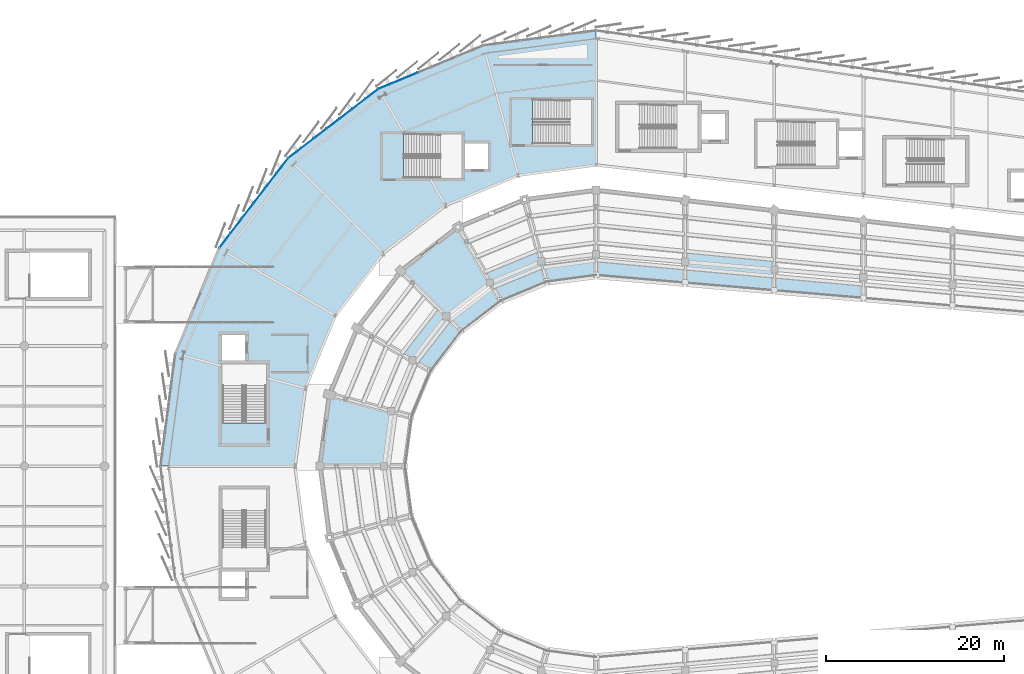
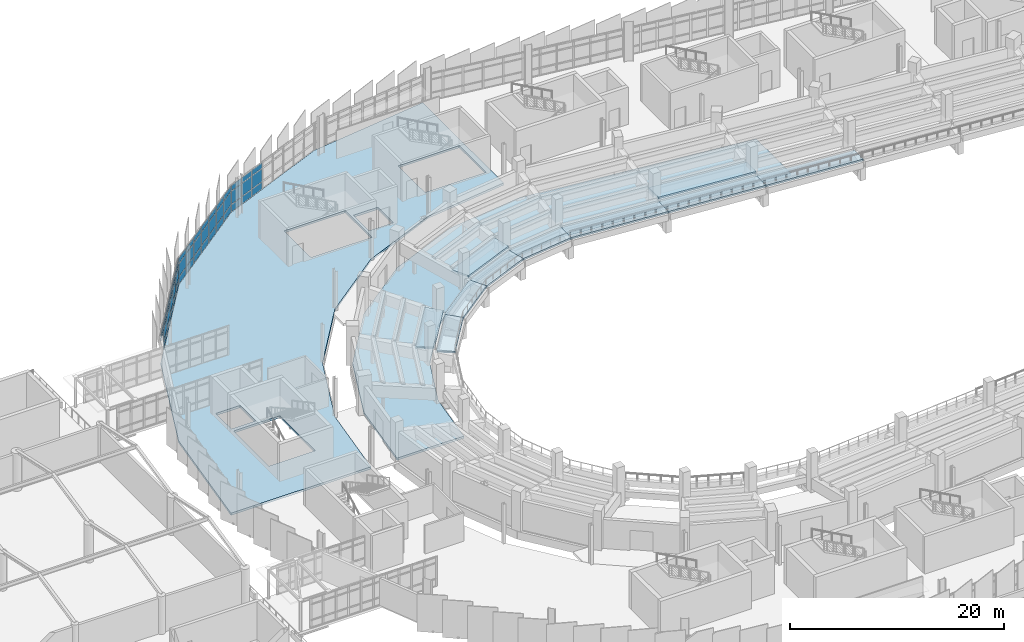
# One storey, part 84 of 120: 46 plates, 12 slabs, 3 elements without a shape of their own.
"""IFC4 building model written with IfcOpenShell, lengths in metres."""

import ifcopenshell
import ifcopenshell.guid

model = None  # the IFC model being written
_history = None  # IfcOwnerHistory: only IFC2X3 demands one
_inside = {}  # id of a spatial element -> (the spatial element, [elements in it])
_under = {}  # id of a project, library or spatial element -> (it, [spatial elements below it])
_declared = {}  # id of a project -> (the project, [libraries it declares])
_typed = {}  # id of a type object -> (the type object, [elements of that type])
_made_of = {}  # id of a material, layer set ... -> (it, [elements and type objects made of it])


def new_model(schema):
    """Start an empty IFC model of exactly this schema.

    Asked for "IFC4X3", IfcOpenShell would pick the latest addendum, in which some entities
    have other attributes; the version numbers below select the first issue.
    IFC2X3 requires an IfcOwnerHistory on every rooted entity: one is made here for all.
    """
    global model, _history
    if schema == "IFC4X3":
        model = ifcopenshell.file(schema_version=(4, 3, 0, 0))
    else:
        model = ifcopenshell.file(schema=schema)
    _inside.clear()
    _under.clear()
    _declared.clear()
    _typed.clear()
    _made_of.clear()
    _history = None
    if model.schema == "IFC2X3":
        org = make("IfcOrganization", Name="unknown")
        user = make(
            "IfcPersonAndOrganization",
            ThePerson=make("IfcPerson", FamilyName="unknown"),
            TheOrganization=org,
        )
        app = make(
            "IfcApplication",
            ApplicationDeveloper=org,
            Version="unknown",
            ApplicationFullName="unknown",
            ApplicationIdentifier="unknown",
        )
        _history = make(
            "IfcOwnerHistory",
            OwningUser=user,
            OwningApplication=app,
            ChangeAction="ADDED",
            CreationDate=0,
        )
    return model


def make(cls, **values):
    """One entity of the class cls with the attributes given. An attribute that is None is left unset."""
    return model.create_entity(
        cls, **{name: value for name, value in values.items() if value is not None}
    )


def rooted(cls, **values):
    """An entity with a GlobalId (a new one), such as an element, a storey or a relation."""
    return make(cls, GlobalId=ifcopenshell.guid.new(), OwnerHistory=_history, **values)


def si_unit(unit_type, name, prefix=None):
    """IfcSIUnit, for example si_unit("LENGTHUNIT", "METRE", prefix="MILLI")."""
    return make("IfcSIUnit", UnitType=unit_type, Prefix=prefix, Name=name)


def assignment(units):
    """IfcUnitAssignment: the units of a project."""
    return None if units is None else make("IfcUnitAssignment", Units=units)


def point(xyz):
    """IfcCartesianPoint."""
    return None if xyz is None else make("IfcCartesianPoint", Coordinates=xyz)


def direction(xyz):
    """IfcDirection."""
    return None if xyz is None else make("IfcDirection", DirectionRatios=xyz)


def frame(location, z_axis=None, x_axis=None):
    """IfcAxis2Placement3D, a coordinate frame: its origin and axes. An axis left out is left unset."""
    return make(
        "IfcAxis2Placement3D",
        Location=point(location),
        Axis=direction(z_axis),
        RefDirection=direction(x_axis),
    )


def frame_2d(location, x_axis=None):
    """IfcAxis2Placement2D, a coordinate frame in the plane: its origin and x axis."""
    return make(
        "IfcAxis2Placement2D", Location=point(location), RefDirection=direction(x_axis)
    )


def origin():
    """The frame at (0, 0, 0) with its axes left unset."""
    return frame((0.0, 0.0, 0.0))


def origin_2d():
    """The frame at (0, 0) in the plane with its x axis left unset."""
    return frame_2d((0.0, 0.0))


def place(relative_to, where):
    """IfcLocalPlacement: puts the frame where relative to a parent placement (None: the world)."""
    return make(
        "IfcLocalPlacement", PlacementRelTo=relative_to, RelativePlacement=where
    )


def context(
    kind, dimensions, precision=None, world=None, true_north=None, identifier=None
):
    """IfcGeometricRepresentationContext, for example the 3D "Model" context."""
    return make(
        "IfcGeometricRepresentationContext",
        ContextIdentifier=identifier,
        ContextType=kind,
        CoordinateSpaceDimension=dimensions,
        Precision=precision,
        WorldCoordinateSystem=world,
        TrueNorth=true_north,
    )


def subcontext(parent, identifier, kind, view, scale=None):
    """IfcGeometricRepresentationSubContext, for example "Body" below "Model"."""
    return make(
        "IfcGeometricRepresentationSubContext",
        ContextIdentifier=identifier,
        ContextType=kind,
        ParentContext=parent,
        TargetScale=scale,
        TargetView=view,
    )


def project(units=None, contexts=None):
    """IfcProject with its units and contexts."""
    return rooted(
        "IfcProject",
        Name="project",
        RepresentationContexts=contexts,
        UnitsInContext=assignment(units),
    )


def spatial(cls, under=None, at=None, **own):
    """A site, building, storey or space (cls), placed at a placement, below another one or the project."""
    s = rooted(cls, ObjectPlacement=at, **own)
    if under is not None:
        _under.setdefault(under.id(), (under, []))[1].append(s)
    return s


def polyline(points):
    """IfcPolyline through the points."""
    return make("IfcPolyline", Points=[point(p) for p in points])


def profile(cls, at=None, kind="AREA", **sizes):
    """A parametric profile (cls). Its sizes go by their IFC names, for example OverallWidth=200.0."""
    return make(cls, ProfileType=kind, Position=at, **sizes)


def rectangle(**sizes):
    """IfcRectangleProfileDef."""
    return profile("IfcRectangleProfileDef", **sizes)


def outline(outer, holes=None, kind="AREA"):
    """IfcArbitraryClosedProfileDef: a profile drawn as a closed curve; with holes, ...WithVoids."""
    if holes is None:
        return make("IfcArbitraryClosedProfileDef", ProfileType=kind, OuterCurve=outer)
    return make(
        "IfcArbitraryProfileDefWithVoids",
        ProfileType=kind,
        OuterCurve=outer,
        InnerCurves=holes,
    )


def extrude(swept, where, along, depth):
    """IfcExtrudedAreaSolid: the profile swept, set in the frame where, extruded along a direction by depth."""
    return make(
        "IfcExtrudedAreaSolid",
        SweptArea=swept,
        Position=where,
        ExtrudedDirection=direction(along),
        Depth=depth,
    )


def shape(context_of_items, identifier, shape_type, items):
    """IfcShapeRepresentation: the items that make up one representation, for example the "Body"."""
    return make(
        "IfcShapeRepresentation",
        ContextOfItems=context_of_items,
        RepresentationIdentifier=identifier,
        RepresentationType=shape_type,
        Items=items,
    )


def material(Name=None, Category=None):
    """IfcMaterial."""
    return make("IfcMaterial", Name=Name, Category=Category)


def layer(
    of_material, thickness, ventilated=None, Name=None, Category=None, Priority=None
):
    """IfcMaterialLayer: one layer of a wall or slab, of a material (None: an air gap)."""
    return make(
        "IfcMaterialLayer",
        Material=of_material,
        LayerThickness=thickness,
        IsVentilated=ventilated,
        Name=Name,
        Category=Category,
        Priority=Priority,
    )


def layer_set(layers, Name=None):
    """IfcMaterialLayerSet."""
    return make("IfcMaterialLayerSet", MaterialLayers=layers, LayerSetName=Name)


def made_of(thing, what):
    """Note that an element or type object is made of a material, layer set ...; save() writes the relation."""
    if what is not None:
        _made_of.setdefault(what.id(), (what, []))[1].append(thing)
    return thing


def type_object(cls, material=None, **own):
    """A type object (cls), such as IfcWallType, which elements share."""
    return made_of(rooted(cls, **own), material)


def element(
    cls,
    number,
    at=None,
    inside=None,
    cuts=None,
    type_object=None,
    material=None,
    context=None,
    identifier="Body",
    shape_type=None,
    held_by="IfcProductDefinitionShape",
    body=None,
    shapes=None,
    **own,
):
    """One element of the class cls, such as IfcWall. Its Tag is "e" and its number.

    at: its placement. inside: the storey or other place that contains it. cuts: it is an
    opening in that element (IfcRelVoidsElement). A single representation is given by context,
    identifier, shape_type and body (its items); several are given by shapes. held_by: the class
    of the entity that holds the representations. save() writes the other relations.
    """
    e = rooted(cls, Tag="e%d" % number, ObjectPlacement=at, **own)
    if body is not None:
        shapes = [shape(context, identifier, shape_type, body)]
    if shapes is not None:
        e.Representation = make(held_by, Representations=shapes)
    if inside is not None:
        _inside.setdefault(inside.id(), (inside, []))[1].append(e)
    if cuts is not None:
        rooted(
            "IfcRelVoidsElement", RelatingBuildingElement=cuts, RelatedOpeningElement=e
        )
    if type_object is not None:
        _typed.setdefault(type_object.id(), (type_object, []))[1].append(e)
    return made_of(e, material)


def aggregate(whole, parts):
    """IfcRelAggregates: a whole, such as a stair, and the parts it consists of."""
    return rooted("IfcRelAggregates", RelatingObject=whole, RelatedObjects=parts)


def save(model, path):
    """Write the relations noted so far, then the file.

    IfcRelAggregates (storeys below a building ...), IfcRelContainedInSpatialStructure (elements
    in a storey), IfcRelDefinesByType, IfcRelAssociatesMaterial and IfcRelDeclares: one each for
    every whole, place, type object, material and project.
    """
    for whole, parts in _under.values():
        aggregate(whole, parts)
    for where, things in _inside.values():
        rooted(
            "IfcRelContainedInSpatialStructure",
            RelatedElements=things,
            RelatingStructure=where,
        )
    for kind, things in _typed.values():
        rooted("IfcRelDefinesByType", RelatedObjects=things, RelatingType=kind)
    for what, things in _made_of.values():
        rooted("IfcRelAssociatesMaterial", RelatedObjects=things, RelatingMaterial=what)
    for by, libraries in _declared.values():
        rooted("IfcRelDeclares", RelatingContext=by, RelatedDefinitions=libraries)
    model.write(path)


model = new_model("IFC4")

# Units and contexts
model_context = context("Model", 3, precision=1e-05, world=origin(), true_north=direction((0.0, 1.0)))
body_context = subcontext(model_context, "Body", "Model", "MODEL_VIEW")
ifc_project = project(units=[si_unit("LENGTHUNIT", "METRE"), si_unit("AREAUNIT", "SQUARE_METRE"), si_unit("VOLUMEUNIT", "CUBIC_METRE"), si_unit("PLANEANGLEUNIT", "RADIAN"), si_unit("MASSUNIT", "GRAM", prefix="KILO")], contexts=[model_context])

# Site, building, storey
site_placement = place(None, origin())
site = spatial("IfcSite", under=ifc_project, at=site_placement, CompositionType="ELEMENT")
building_placement = place(site_placement, origin())
building = spatial("IfcBuilding", under=site, at=building_placement, Name="Sohan Crest Arena", CompositionType="ELEMENT")
storey_placement = place(building_placement, frame((0.0, 0.0, 13.5)))
storey = spatial("IfcBuildingStorey", under=building, at=storey_placement, Name="L03", CompositionType="ELEMENT", Elevation=13.5)

# Curtain wall, plates
ifc_material_1 = material(Name="Thermally broken anodised aluminium", Category="aluminium")
ifc_layer_1 = layer(ifc_material_1, 0.199951171875, Name="Thermally broken anodised aluminium")
ifc_layer_set_1 = layer_set([ifc_layer_1], Name="Thermally broken anodised aluminium")
curtain_wall_type_1 = type_object("IfcCurtainWallType", Name="ARC-CW02", PredefinedType="NOTDEFINED", material=ifc_layer_set_1)
curtain_wall_1_placement = place(storey_placement, origin())
curtain_wall_1 = element("IfcCurtainWall", 1, at=curtain_wall_1_placement, inside=storey, type_object=curtain_wall_type_1, Name="Unitised curtain wall CW-081", PredefinedType="NOTDEFINED")
ifc_material_2 = material(Name="Low-E double-glazed insulated glass", Category="glass")
ifc_layer_2 = layer(ifc_material_2, 0.031982421875, Name="Low-E double-glazed insulated glass")
ifc_layer_set_2 = layer_set([ifc_layer_2], Name="Low-E double-glazed insulated glass")
plate_type_1 = type_object("IfcPlateType", Name="ARC-CNP02", PredefinedType="CURTAIN_PANEL", material=ifc_layer_set_2)
plate_1_placement = place(storey_placement, frame((77.235595703125, 121.87548828125, 0.06494140625), z_axis=(0.0, 0.0, 1.0), x_axis=(-0.923886034074, -0.382667735827, 0.0)))
plate_1 = element("IfcPlate", 2, at=plate_1_placement, type_object=plate_type_1, Name="CW-081 panel 6.1", PredefinedType="CURTAIN_PANEL", context=body_context, shape_type="SweptSolid", body=[
    extrude(rectangle(XDim=1.53076171875, YDim=0.031982421875, at=origin_2d()), origin(), (0.0, 0.0, 1.0), 0.802490234375),
])
plate_2_placement = place(storey_placement, frame((77.235595703125, 121.87548828125, 0.932373046875), z_axis=(0.0, 0.0, 1.0), x_axis=(-0.923886034074, -0.382667735827, 0.0)))
plate_2 = element("IfcPlate", 3, at=plate_2_placement, type_object=plate_type_1, Name="CW-081 panel 6.2", PredefinedType="CURTAIN_PANEL", context=body_context, shape_type="SweptSolid", body=[
    extrude(rectangle(XDim=1.53076171875, YDim=0.031982421875, at=origin_2d()), origin(), (0.0, 0.0, 1.0), 1.455078125),
])
plate_3_placement = place(storey_placement, frame((77.235595703125, 121.87548828125, 2.452392578125), z_axis=(0.0, 0.0, 1.0), x_axis=(-0.923886034074, -0.382667735827, 0.0)))
plate_3 = element("IfcPlate", 4, at=plate_3_placement, type_object=plate_type_1, Name="CW-081 panel 6.3", PredefinedType="CURTAIN_PANEL", context=body_context, shape_type="SweptSolid", body=[
    extrude(rectangle(XDim=1.53076171875, YDim=0.031982421875, at=origin_2d()), origin(), (0.0, 0.0, 1.0), 0.6025390625),
])
plate_4_placement = place(storey_placement, frame((75.761474609375, 121.264892578125, 0.06494140625), z_axis=(0.0, 0.0, 1.0), x_axis=(-0.923886034074, -0.382667735827, 0.0)))
plate_4 = element("IfcPlate", 5, at=plate_4_placement, type_object=plate_type_1, Name="CW-081 panel 7.1", PredefinedType="CURTAIN_PANEL", context=body_context, shape_type="SweptSolid", body=[
    extrude(rectangle(XDim=1.53076171875, YDim=0.031982421875, at=origin_2d()), origin(), (0.0, 0.0, 1.0), 0.802490234375),
])
plate_5_placement = place(storey_placement, frame((75.761474609375, 121.264892578125, 0.932373046875), z_axis=(0.0, 0.0, 1.0), x_axis=(-0.923886034074, -0.382667735827, 0.0)))
plate_5 = element("IfcPlate", 6, at=plate_5_placement, type_object=plate_type_1, Name="CW-081 panel 7.2", PredefinedType="CURTAIN_PANEL", context=body_context, shape_type="SweptSolid", body=[
    extrude(rectangle(XDim=1.53076171875, YDim=0.031982421875, at=origin_2d()), origin(), (0.0, 0.0, 1.0), 1.455078125),
])
plate_6_placement = place(storey_placement, frame((75.761474609375, 121.264892578125, 2.452392578125), z_axis=(0.0, 0.0, 1.0), x_axis=(-0.923886034074, -0.382667735827, 0.0)))
plate_6 = element("IfcPlate", 7, at=plate_6_placement, type_object=plate_type_1, Name="CW-081 panel 7.3", PredefinedType="CURTAIN_PANEL", context=body_context, shape_type="SweptSolid", body=[
    extrude(rectangle(XDim=1.53076171875, YDim=0.031982421875, at=origin_2d()), origin(), (0.0, 0.0, 1.0), 0.6025390625),
])
plate_7_placement = place(storey_placement, frame((74.30224609375, 120.66064453125, 0.06494140625), z_axis=(0.0, 0.0, 1.0), x_axis=(-0.923886034074, -0.382667735827, 0.0)))
plate_7 = element("IfcPlate", 8, at=plate_7_placement, type_object=plate_type_1, Name="CW-081 panel 8.1", PredefinedType="CURTAIN_PANEL", context=body_context, shape_type="SweptSolid", body=[
    extrude(rectangle(XDim=1.498291015625, YDim=0.031982421875, at=origin_2d()), origin(), (0.0, 0.0, 1.0), 0.802490234375),
])
plate_8_placement = place(storey_placement, frame((74.30224609375, 120.66064453125, 0.932373046875), z_axis=(0.0, 0.0, 1.0), x_axis=(-0.923886034074, -0.382667735827, 0.0)))
plate_8 = element("IfcPlate", 9, at=plate_8_placement, type_object=plate_type_1, Name="CW-081 panel 8.2", PredefinedType="CURTAIN_PANEL", context=body_context, shape_type="SweptSolid", body=[
    extrude(rectangle(XDim=1.498291015625, YDim=0.031982421875, at=origin_2d()), origin(), (0.0, 0.0, 1.0), 1.455078125),
])
plate_9_placement = place(storey_placement, frame((74.30224609375, 120.66064453125, 2.452392578125), z_axis=(0.0, 0.0, 1.0), x_axis=(-0.923886034074, -0.382667735827, 0.0)))
plate_9 = element("IfcPlate", 10, at=plate_9_placement, type_object=plate_type_1, Name="CW-081 panel 8.3", PredefinedType="CURTAIN_PANEL", context=body_context, shape_type="SweptSolid", body=[
    extrude(rectangle(XDim=1.498291015625, YDim=0.031982421875, at=origin_2d()), origin(), (0.0, 0.0, 1.0), 0.6025390625),
])
aggregate(curtain_wall_1, [plate_1, plate_2, plate_3, plate_4, plate_5, plate_6, plate_7, plate_8, plate_9])

ifc_layer_3 = layer(ifc_material_1, 0.219970703125, Name="Thermally broken anodised aluminium")
ifc_layer_set_3 = layer_set([ifc_layer_3], Name="Thermally broken anodised aluminium")
curtain_wall_type_2 = type_object("IfcCurtainWallType", Name="ARC-CW03", PredefinedType="NOTDEFINED", material=ifc_layer_set_3)
curtain_wall_2_placement = place(storey_placement, origin())
curtain_wall_2 = element("IfcCurtainWall", 11, at=curtain_wall_2_placement, inside=storey, type_object=curtain_wall_type_2, Name="Unitised curtain wall CW-082", PredefinedType="NOTDEFINED")
ifc_material_3 = material(Name="Ceramic-fritted solar-control insulated glass", Category="glass")
ifc_layer_4 = layer(ifc_material_3, 0.035888671875, Name="Ceramic-fritted solar-control insulated glass")
ifc_layer_set_4 = layer_set([ifc_layer_4], Name="Ceramic-fritted solar-control insulated glass")
plate_type_2 = type_object("IfcPlateType", Name="ARC-CNP03", PredefinedType="CURTAIN_PANEL", material=ifc_layer_set_4)
plate_10_placement = place(storey_placement, frame((72.812744140625, 119.783203125, 0.070068359375), z_axis=(0.0, 0.0, 1.0), x_axis=(-0.793371792207, -0.608737381249, 0.0)))
plate_10 = element("IfcPlate", 12, at=plate_10_placement, type_object=plate_type_2, Name="CW-082 panel 1.1", PredefinedType="CURTAIN_PANEL", context=body_context, shape_type="SweptSolid", body=[
    extrude(rectangle(XDim=1.71875, YDim=0.035888671875, at=origin_2d()), origin(), (0.0, 0.0, 1.0), 0.794921875),
])
plate_11_placement = place(storey_placement, frame((72.812744140625, 119.783203125, 0.93505859375), z_axis=(0.0, 0.0, 1.0), x_axis=(-0.793371792207, -0.608737381249, 0.0)))
plate_11 = element("IfcPlate", 13, at=plate_11_placement, type_object=plate_type_2, Name="CW-082 panel 1.2", PredefinedType="CURTAIN_PANEL", context=body_context, shape_type="SweptSolid", body=[
    extrude(rectangle(XDim=1.71875, YDim=0.035888671875, at=origin_2d()), origin(), (0.0, 0.0, 1.0), 1.449951171875),
])
plate_12_placement = place(storey_placement, frame((72.812744140625, 119.783203125, 2.455078125), z_axis=(0.0, 0.0, 1.0), x_axis=(-0.793371792207, -0.608737381249, 0.0)))
plate_12 = element("IfcPlate", 14, at=plate_12_placement, type_object=plate_type_2, Name="CW-082 panel 1.3", PredefinedType="CURTAIN_PANEL", context=body_context, shape_type="SweptSolid", body=[
    extrude(rectangle(XDim=1.71875, YDim=0.035888671875, at=origin_2d()), origin(), (0.0, 0.0, 1.0), 0.594970703125),
])
plate_13_placement = place(storey_placement, frame((71.379638671875, 118.683837890625, 0.070068359375), z_axis=(0.0, 0.0, 1.0), x_axis=(-0.793371792207, -0.608737381249, 0.0)))
plate_13 = element("IfcPlate", 15, at=plate_13_placement, type_object=plate_type_2, Name="CW-082 panel 2.1", PredefinedType="CURTAIN_PANEL", context=body_context, shape_type="SweptSolid", body=[
    extrude(rectangle(XDim=1.753662109375, YDim=0.035888671875, at=origin_2d()), origin(), (0.0, 0.0, 1.0), 0.794921875),
])
plate_14_placement = place(storey_placement, frame((71.379638671875, 118.683837890625, 0.93505859375), z_axis=(0.0, 0.0, 1.0), x_axis=(-0.793371792207, -0.608737381249, 0.0)))
plate_14 = element("IfcPlate", 16, at=plate_14_placement, type_object=plate_type_2, Name="CW-082 panel 2.2", PredefinedType="CURTAIN_PANEL", context=body_context, shape_type="SweptSolid", body=[
    extrude(rectangle(XDim=1.753662109375, YDim=0.035888671875, at=origin_2d()), origin(), (0.0, 0.0, 1.0), 1.449951171875),
])
plate_15_placement = place(storey_placement, frame((71.379638671875, 118.683837890625, 2.455078125), z_axis=(0.0, 0.0, 1.0), x_axis=(-0.793371792207, -0.608737381249, 0.0)))
plate_15 = element("IfcPlate", 17, at=plate_15_placement, type_object=plate_type_2, Name="CW-082 panel 2.3", PredefinedType="CURTAIN_PANEL", context=body_context, shape_type="SweptSolid", body=[
    extrude(rectangle(XDim=1.753662109375, YDim=0.035888671875, at=origin_2d()), origin(), (0.0, 0.0, 1.0), 0.594970703125),
])
plate_16_placement = place(storey_placement, frame((69.932861328125, 117.57373046875, 0.070068359375), z_axis=(0.0, 0.0, 1.0), x_axis=(-0.793371792207, -0.608737381249, 0.0)))
plate_16 = element("IfcPlate", 18, at=plate_16_placement, type_object=plate_type_2, Name="CW-082 panel 3.1", PredefinedType="CURTAIN_PANEL", context=body_context, shape_type="SweptSolid", body=[
    extrude(rectangle(XDim=1.753662109375, YDim=0.035888671875, at=origin_2d()), origin(), (0.0, 0.0, 1.0), 0.794921875),
])
plate_17_placement = place(storey_placement, frame((69.932861328125, 117.57373046875, 0.93505859375), z_axis=(0.0, 0.0, 1.0), x_axis=(-0.793371792207, -0.608737381249, 0.0)))
plate_17 = element("IfcPlate", 19, at=plate_17_placement, type_object=plate_type_2, Name="CW-082 panel 3.2", PredefinedType="CURTAIN_PANEL", context=body_context, shape_type="SweptSolid", body=[
    extrude(rectangle(XDim=1.753662109375, YDim=0.035888671875, at=origin_2d()), origin(), (0.0, 0.0, 1.0), 1.449951171875),
])
plate_18_placement = place(storey_placement, frame((69.932861328125, 117.57373046875, 2.455078125), z_axis=(0.0, 0.0, 1.0), x_axis=(-0.793371792207, -0.608737381249, 0.0)))
plate_18 = element("IfcPlate", 20, at=plate_18_placement, type_object=plate_type_2, Name="CW-082 panel 3.3", PredefinedType="CURTAIN_PANEL", context=body_context, shape_type="SweptSolid", body=[
    extrude(rectangle(XDim=1.753662109375, YDim=0.035888671875, at=origin_2d()), origin(), (0.0, 0.0, 1.0), 0.594970703125),
])
plate_19_placement = place(storey_placement, frame((68.486083984375, 116.46337890625, 0.070068359375), z_axis=(0.0, 0.0, 1.0), x_axis=(-0.793371792207, -0.608737381249, 0.0)))
plate_19 = element("IfcPlate", 21, at=plate_19_placement, type_object=plate_type_2, Name="CW-082 panel 4.1", PredefinedType="CURTAIN_PANEL", context=body_context, shape_type="SweptSolid", body=[
    extrude(rectangle(XDim=1.753662109375, YDim=0.035888671875, at=origin_2d()), origin(), (0.0, 0.0, 1.0), 0.794921875),
])
plate_20_placement = place(storey_placement, frame((68.486083984375, 116.46337890625, 0.93505859375), z_axis=(0.0, 0.0, 1.0), x_axis=(-0.793371792207, -0.608737381249, 0.0)))
plate_20 = element("IfcPlate", 22, at=plate_20_placement, type_object=plate_type_2, Name="CW-082 panel 4.2", PredefinedType="CURTAIN_PANEL", context=body_context, shape_type="SweptSolid", body=[
    extrude(rectangle(XDim=1.753662109375, YDim=0.035888671875, at=origin_2d()), origin(), (0.0, 0.0, 1.0), 1.449951171875),
])
plate_21_placement = place(storey_placement, frame((68.486083984375, 116.46337890625, 2.455078125), z_axis=(0.0, 0.0, 1.0), x_axis=(-0.793371792207, -0.608737381249, 0.0)))
plate_21 = element("IfcPlate", 23, at=plate_21_placement, type_object=plate_type_2, Name="CW-082 panel 4.3", PredefinedType="CURTAIN_PANEL", context=body_context, shape_type="SweptSolid", body=[
    extrude(rectangle(XDim=1.753662109375, YDim=0.035888671875, at=origin_2d()), origin(), (0.0, 0.0, 1.0), 0.594970703125),
])
plate_22_placement = place(storey_placement, frame((67.0390625, 115.353271484375, 0.070068359375), z_axis=(0.0, 0.0, 1.0), x_axis=(-0.793371792207, -0.608737381249, 0.0)))
plate_22 = element("IfcPlate", 24, at=plate_22_placement, type_object=plate_type_2, Name="CW-082 panel 5.1", PredefinedType="CURTAIN_PANEL", context=body_context, shape_type="SweptSolid", body=[
    extrude(rectangle(XDim=1.753662109375, YDim=0.035888671875, at=origin_2d()), origin(), (0.0, 0.0, 1.0), 0.794921875),
])
plate_23_placement = place(storey_placement, frame((67.0390625, 115.353271484375, 0.93505859375), z_axis=(0.0, 0.0, 1.0), x_axis=(-0.793371792207, -0.608737381249, 0.0)))
plate_23 = element("IfcPlate", 25, at=plate_23_placement, type_object=plate_type_2, Name="CW-082 panel 5.2", PredefinedType="CURTAIN_PANEL", context=body_context, shape_type="SweptSolid", body=[
    extrude(rectangle(XDim=1.753662109375, YDim=0.035888671875, at=origin_2d()), origin(), (0.0, 0.0, 1.0), 1.449951171875),
])
plate_24_placement = place(storey_placement, frame((67.0390625, 115.353271484375, 2.455078125), z_axis=(0.0, 0.0, 1.0), x_axis=(-0.793371792207, -0.608737381249, 0.0)))
plate_24 = element("IfcPlate", 26, at=plate_24_placement, type_object=plate_type_2, Name="CW-082 panel 5.3", PredefinedType="CURTAIN_PANEL", context=body_context, shape_type="SweptSolid", body=[
    extrude(rectangle(XDim=1.753662109375, YDim=0.035888671875, at=origin_2d()), origin(), (0.0, 0.0, 1.0), 0.594970703125),
])
plate_25_placement = place(storey_placement, frame((65.59228515625, 114.2431640625, 0.070068359375), z_axis=(0.0, 0.0, 1.0), x_axis=(-0.793371792207, -0.608737381249, 0.0)))
plate_25 = element("IfcPlate", 27, at=plate_25_placement, type_object=plate_type_2, Name="CW-082 panel 6.1", PredefinedType="CURTAIN_PANEL", context=body_context, shape_type="SweptSolid", body=[
    extrude(rectangle(XDim=1.753662109375, YDim=0.035888671875, at=origin_2d()), origin(), (0.0, 0.0, 1.0), 0.794921875),
])
plate_26_placement = place(storey_placement, frame((65.59228515625, 114.2431640625, 0.93505859375), z_axis=(0.0, 0.0, 1.0), x_axis=(-0.793371792207, -0.608737381249, 0.0)))
plate_26 = element("IfcPlate", 28, at=plate_26_placement, type_object=plate_type_2, Name="CW-082 panel 6.2", PredefinedType="CURTAIN_PANEL", context=body_context, shape_type="SweptSolid", body=[
    extrude(rectangle(XDim=1.753662109375, YDim=0.035888671875, at=origin_2d()), origin(), (0.0, 0.0, 1.0), 1.449951171875),
])
plate_27_placement = place(storey_placement, frame((65.59228515625, 114.2431640625, 2.455078125), z_axis=(0.0, 0.0, 1.0), x_axis=(-0.793371792207, -0.608737381249, 0.0)))
plate_27 = element("IfcPlate", 29, at=plate_27_placement, type_object=plate_type_2, Name="CW-082 panel 6.3", PredefinedType="CURTAIN_PANEL", context=body_context, shape_type="SweptSolid", body=[
    extrude(rectangle(XDim=1.753662109375, YDim=0.035888671875, at=origin_2d()), origin(), (0.0, 0.0, 1.0), 0.594970703125),
])
plate_28_placement = place(storey_placement, frame((64.159423828125, 113.143798828125, 0.070068359375), z_axis=(0.0, 0.0, 1.0), x_axis=(-0.793371792207, -0.608737381249, 0.0)))
plate_28 = element("IfcPlate", 30, at=plate_28_placement, type_object=plate_type_2, Name="CW-082 panel 7.1", PredefinedType="CURTAIN_PANEL", context=body_context, shape_type="SweptSolid", body=[
    extrude(rectangle(XDim=1.71875, YDim=0.035888671875, at=origin_2d()), origin(), (0.0, 0.0, 1.0), 0.794921875),
])
plate_29_placement = place(storey_placement, frame((64.159423828125, 113.143798828125, 0.93505859375), z_axis=(0.0, 0.0, 1.0), x_axis=(-0.793371792207, -0.608737381249, 0.0)))
plate_29 = element("IfcPlate", 31, at=plate_29_placement, type_object=plate_type_2, Name="CW-082 panel 7.2", PredefinedType="CURTAIN_PANEL", context=body_context, shape_type="SweptSolid", body=[
    extrude(rectangle(XDim=1.71875, YDim=0.035888671875, at=origin_2d()), origin(), (0.0, 0.0, 1.0), 1.449951171875),
])
plate_30_placement = place(storey_placement, frame((64.159423828125, 113.143798828125, 2.455078125), z_axis=(0.0, 0.0, 1.0), x_axis=(-0.793371792207, -0.608737381249, 0.0)))
plate_30 = element("IfcPlate", 32, at=plate_30_placement, type_object=plate_type_2, Name="CW-082 panel 7.3", PredefinedType="CURTAIN_PANEL", context=body_context, shape_type="SweptSolid", body=[
    extrude(rectangle(XDim=1.71875, YDim=0.035888671875, at=origin_2d()), origin(), (0.0, 0.0, 1.0), 0.594970703125),
])
aggregate(curtain_wall_2, [plate_10, plate_11, plate_12, plate_13, plate_14, plate_15, plate_16, plate_17, plate_18, plate_19, plate_20, plate_21, plate_22, plate_23, plate_24, plate_25, plate_26, plate_27, plate_28, plate_29, plate_30])

ifc_layer_5 = layer(ifc_material_1, 0.239990234375, Name="Thermally broken anodised aluminium")
ifc_layer_set_5 = layer_set([ifc_layer_5], Name="Thermally broken anodised aluminium")
curtain_wall_type_3 = type_object("IfcCurtainWallType", Name="ARC-CW04", PredefinedType="NOTDEFINED", material=ifc_layer_set_5)
curtain_wall_3_placement = place(storey_placement, origin())
curtain_wall_3 = element("IfcCurtainWall", 33, at=curtain_wall_3_placement, inside=storey, type_object=curtain_wall_type_3, Name="Unitised curtain wall CW-083", PredefinedType="NOTDEFINED")
ifc_material_4 = material(Name="Insulated polychrome ceramic spandrel panel", Category="masonry")
ifc_layer_6 = layer(ifc_material_4, 0.0419921875, Name="Insulated polychrome ceramic spandrel panel")
ifc_layer_set_6 = layer_set([ifc_layer_6], Name="Insulated polychrome ceramic spandrel panel")
plate_type_3 = type_object("IfcPlateType", Name="ARC-CNP04", PredefinedType="CURTAIN_PANEL", material=ifc_layer_set_6)
plate_31_placement = place(storey_placement, frame((62.762939453125, 111.71923828125, 0.06005859375), z_axis=(0.0, 0.0, 1.0), x_axis=(-0.608737381249, -0.793371792207, 0.0)))
plate_31 = element("IfcPlate", 34, at=plate_31_placement, type_object=plate_type_3, Name="CW-083 panel 1.1", PredefinedType="CURTAIN_PANEL", context=body_context, shape_type="SweptSolid", body=[
    extrude(rectangle(XDim=2.01513671875, YDim=0.0419921875, at=origin_2d()), origin(), (0.0, 0.0, 1.0), 0.81005859375),
])
plate_32_placement = place(storey_placement, frame((62.762939453125, 111.71923828125, 0.929931640625), z_axis=(0.0, 0.0, 1.0), x_axis=(-0.608737381249, -0.793371792207, 0.0)))
plate_32 = element("IfcPlate", 35, at=plate_32_placement, type_object=plate_type_3, Name="CW-083 panel 1.2", PredefinedType="CURTAIN_PANEL", context=body_context, shape_type="SweptSolid", body=[
    extrude(rectangle(XDim=2.01513671875, YDim=0.0419921875, at=origin_2d()), origin(), (0.0, 0.0, 1.0), 1.4599609375),
])
plate_33_placement = place(storey_placement, frame((62.762939453125, 111.71923828125, 2.44970703125), z_axis=(0.0, 0.0, 1.0), x_axis=(-0.608737381249, -0.793371792207, 0.0)))
plate_33 = element("IfcPlate", 36, at=plate_33_placement, type_object=plate_type_3, Name="CW-083 panel 1.3", PredefinedType="CURTAIN_PANEL", context=body_context, shape_type="SweptSolid", body=[
    extrude(rectangle(XDim=2.01513671875, YDim=0.0419921875, at=origin_2d()), origin(), (0.0, 0.0, 1.0), 0.610107421875),
])
plate_34_placement = place(storey_placement, frame((61.479248046875, 110.0458984375, 0.06005859375), z_axis=(0.0, 0.0, 1.0), x_axis=(-0.608737381249, -0.793371792207, 0.0)))
plate_34 = element("IfcPlate", 37, at=plate_34_placement, type_object=plate_type_3, Name="CW-083 panel 2.1", PredefinedType="CURTAIN_PANEL", context=body_context, shape_type="SweptSolid", body=[
    extrude(rectangle(XDim=2.052734375, YDim=0.0419921875, at=origin_2d()), origin(), (0.0, 0.0, 1.0), 0.81005859375),
])
plate_35_placement = place(storey_placement, frame((61.479248046875, 110.0458984375, 0.929931640625), z_axis=(0.0, 0.0, 1.0), x_axis=(-0.608737381249, -0.793371792207, 0.0)))
plate_35 = element("IfcPlate", 38, at=plate_35_placement, type_object=plate_type_3, Name="CW-083 panel 2.2", PredefinedType="CURTAIN_PANEL", context=body_context, shape_type="SweptSolid", body=[
    extrude(rectangle(XDim=2.052734375, YDim=0.0419921875, at=origin_2d()), origin(), (0.0, 0.0, 1.0), 1.4599609375),
])
plate_36_placement = place(storey_placement, frame((61.479248046875, 110.0458984375, 2.44970703125), z_axis=(0.0, 0.0, 1.0), x_axis=(-0.608737381249, -0.793371792207, 0.0)))
plate_36 = element("IfcPlate", 39, at=plate_36_placement, type_object=plate_type_3, Name="CW-083 panel 2.3", PredefinedType="CURTAIN_PANEL", context=body_context, shape_type="SweptSolid", body=[
    extrude(rectangle(XDim=2.052734375, YDim=0.0419921875, at=origin_2d()), origin(), (0.0, 0.0, 1.0), 0.610107421875),
])
plate_37_placement = place(storey_placement, frame((60.18408203125, 108.35791015625, 0.06005859375), z_axis=(0.0, 0.0, 1.0), x_axis=(-0.608737381249, -0.793371792207, 0.0)))
plate_37 = element("IfcPlate", 40, at=plate_37_placement, type_object=plate_type_3, Name="CW-083 panel 3.1", PredefinedType="CURTAIN_PANEL", context=body_context, shape_type="SweptSolid", body=[
    extrude(rectangle(XDim=2.052734375, YDim=0.0419921875, at=origin_2d()), origin(), (0.0, 0.0, 1.0), 0.81005859375),
])
plate_38_placement = place(storey_placement, frame((60.18408203125, 108.35791015625, 0.929931640625), z_axis=(0.0, 0.0, 1.0), x_axis=(-0.608737381249, -0.793371792207, 0.0)))
plate_38 = element("IfcPlate", 41, at=plate_38_placement, type_object=plate_type_3, Name="CW-083 panel 3.2", PredefinedType="CURTAIN_PANEL", context=body_context, shape_type="SweptSolid", body=[
    extrude(rectangle(XDim=2.052734375, YDim=0.0419921875, at=origin_2d()), origin(), (0.0, 0.0, 1.0), 1.4599609375),
])
plate_39_placement = place(storey_placement, frame((60.18408203125, 108.35791015625, 2.44970703125), z_axis=(0.0, 0.0, 1.0), x_axis=(-0.608737381249, -0.793371792207, 0.0)))
plate_39 = element("IfcPlate", 42, at=plate_39_placement, type_object=plate_type_3, Name="CW-083 panel 3.3", PredefinedType="CURTAIN_PANEL", context=body_context, shape_type="SweptSolid", body=[
    extrude(rectangle(XDim=2.052734375, YDim=0.0419921875, at=origin_2d()), origin(), (0.0, 0.0, 1.0), 0.610107421875),
])
plate_40_placement = place(storey_placement, frame((58.888916015625, 106.669921875, 0.06005859375), z_axis=(0.0, 0.0, 1.0), x_axis=(-0.608737381249, -0.793371792207, 0.0)))
plate_40 = element("IfcPlate", 43, at=plate_40_placement, type_object=plate_type_3, Name="CW-083 panel 4.1", PredefinedType="CURTAIN_PANEL", context=body_context, shape_type="SweptSolid", body=[
    extrude(rectangle(XDim=2.052734375, YDim=0.0419921875, at=origin_2d()), origin(), (0.0, 0.0, 1.0), 0.81005859375),
])
plate_41_placement = place(storey_placement, frame((58.888916015625, 106.669921875, 0.929931640625), z_axis=(0.0, 0.0, 1.0), x_axis=(-0.608737381249, -0.793371792207, 0.0)))
plate_41 = element("IfcPlate", 44, at=plate_41_placement, type_object=plate_type_3, Name="CW-083 panel 4.2", PredefinedType="CURTAIN_PANEL", context=body_context, shape_type="SweptSolid", body=[
    extrude(rectangle(XDim=2.052734375, YDim=0.0419921875, at=origin_2d()), origin(), (0.0, 0.0, 1.0), 1.4599609375),
])
plate_42_placement = place(storey_placement, frame((58.888916015625, 106.669921875, 2.44970703125), z_axis=(0.0, 0.0, 1.0), x_axis=(-0.608737381249, -0.793371792207, 0.0)))
plate_42 = element("IfcPlate", 45, at=plate_42_placement, type_object=plate_type_3, Name="CW-083 panel 4.3", PredefinedType="CURTAIN_PANEL", context=body_context, shape_type="SweptSolid", body=[
    extrude(rectangle(XDim=2.052734375, YDim=0.0419921875, at=origin_2d()), origin(), (0.0, 0.0, 1.0), 0.610107421875),
])
plate_43_placement = place(storey_placement, frame((57.59375, 104.98193359375, 0.06005859375), z_axis=(0.0, 0.0, 1.0), x_axis=(-0.608737381249, -0.793371792207, 0.0)))
plate_43 = element("IfcPlate", 46, at=plate_43_placement, type_object=plate_type_3, Name="CW-083 panel 5.1", PredefinedType="CURTAIN_PANEL", context=body_context, shape_type="SweptSolid", body=[
    extrude(rectangle(XDim=2.052734375, YDim=0.0419921875, at=origin_2d()), origin(), (0.0, 0.0, 1.0), 0.81005859375),
])
plate_44_placement = place(storey_placement, frame((57.59375, 104.98193359375, 0.929931640625), z_axis=(0.0, 0.0, 1.0), x_axis=(-0.608737381249, -0.793371792207, 0.0)))
plate_44 = element("IfcPlate", 47, at=plate_44_placement, type_object=plate_type_3, Name="CW-083 panel 5.2", PredefinedType="CURTAIN_PANEL", context=body_context, shape_type="SweptSolid", body=[
    extrude(rectangle(XDim=2.052734375, YDim=0.0419921875, at=origin_2d()), origin(), (0.0, 0.0, 1.0), 1.4599609375),
])
plate_45_placement = place(storey_placement, frame((57.59375, 104.98193359375, 2.44970703125), z_axis=(0.0, 0.0, 1.0), x_axis=(-0.608737381249, -0.793371792207, 0.0)))
plate_45 = element("IfcPlate", 48, at=plate_45_placement, type_object=plate_type_3, Name="CW-083 panel 5.3", PredefinedType="CURTAIN_PANEL", context=body_context, shape_type="SweptSolid", body=[
    extrude(rectangle(XDim=2.052734375, YDim=0.0419921875, at=origin_2d()), origin(), (0.0, 0.0, 1.0), 0.610107421875),
])
plate_46_placement = place(storey_placement, frame((56.31005859375, 103.308837890625, 2.44970703125), z_axis=(0.0, 0.0, 1.0), x_axis=(-0.608737381249, -0.793371792207, 0.0)))
plate_46 = element("IfcPlate", 49, at=plate_46_placement, type_object=plate_type_3, Name="CW-083 panel 6.3", PredefinedType="CURTAIN_PANEL", context=body_context, shape_type="SweptSolid", body=[
    extrude(rectangle(XDim=2.01513671875, YDim=0.0419921875, at=origin_2d()), origin(), (0.0, 0.0, 1.0), 0.610107421875),
])
aggregate(curtain_wall_3, [plate_31, plate_32, plate_33, plate_34, plate_35, plate_36, plate_37, plate_38, plate_39, plate_40, plate_41, plate_42, plate_43, plate_44, plate_45, plate_46])

# Slabs
ifc_material_5 = material(Name="Concrete C40/50", Category="concrete")
ifc_layer_7 = layer(ifc_material_5, 0.25, Name="Concrete C40/50")
ifc_layer_set_7 = layer_set([ifc_layer_7], Name="Concrete C40/50")
slab_type_1 = type_object("IfcSlabType", Name="SL-FLR3", PredefinedType="FLOOR", material=ifc_layer_set_7)
slab_1_placement = place(storey_placement, frame((0.0, 0.0, -0.25)))
element("IfcSlab", 50, at=slab_1_placement, inside=storey, type_object=slab_type_1, Name="Bowl vomitory ring L03 Q1 SL-L03-V1Q1", PredefinedType="FLOOR", context=body_context, shape_type="SweptSolid", body=[
    extrude(outline(polyline([(68.055908203125, 86.02294921875), (71.153076171875, 93.5), (76.080078125, 99.919921875), (82.5, 104.846923828125), (89.97705078125, 107.944091796875), (98.0, 109.0), (122.0, 106.257080078125), (122.0, 99.742919921875), (98.0, 101.800048828125), (91.840087890625, 100.989013671875), (86.10009765625, 98.611083984375), (81.1708984375, 94.8291015625), (77.388916015625, 89.89990234375), (75.010986328125, 84.159912109375), (74.199951171875, 78.0), (67.0, 78.0), (68.055908203125, 86.02294921875)])), origin(), (0.0, 0.0, 1.0), 0.25),
])
slab_2_placement = place(storey_placement, frame((0.0, 0.0, -0.25)))
element("IfcSlab", 51, at=slab_2_placement, inside=storey, type_object=slab_type_1, Name="Concourse ring L03 sector 1 SL-L03-V2S1", PredefinedType="FLOOR", context=body_context, shape_type="SweptSolid", body=[
    extrude(outline(polyline([(50.76611328125, 90.656005859375), (55.65087890625, 102.449951171875), (63.422119140625, 112.577880859375), (73.550048828125, 120.34912109375), (85.343994140625, 125.23388671875), (98.0, 126.89990234375), (98.0, 111.800048828125), (89.251953125, 110.64794921875), (81.10009765625, 107.27197265625), (74.10009765625, 101.89990234375), (68.72802734375, 94.89990234375), (65.35205078125, 86.748046875), (64.199951171875, 78.0), (49.10009765625, 78.0), (50.76611328125, 90.656005859375)]), holes=[polyline([(56.0, 82.8701171875), (61.0, 82.8701171875), (61.0, 89.449951171875), (56.0, 89.449951171875), (56.0, 82.8701171875)]), polyline([(56.0, 92.75), (56.0, 89.85009765625), (58.60009765625, 89.85009765625), (58.60009765625, 92.75), (56.0, 92.75)]), polyline([(76.3701171875, 110.300048828125), (82.949951171875, 110.300048828125), (82.949951171875, 115.300048828125), (76.3701171875, 115.300048828125), (76.3701171875, 110.300048828125)]), polyline([(83.25, 114.25), (83.25, 111.35009765625), (85.85009765625, 111.35009765625), (85.85009765625, 114.25), (83.25, 114.25)]), polyline([(97.449951171875, 114.139892578125), (97.449951171875, 119.139892578125), (90.8701171875, 119.139892578125), (90.8701171875, 114.139892578125), (97.449951171875, 114.139892578125)])]), origin(), (0.0, 0.0, 1.0), 0.25),
])
ifc_material_6 = material(Name="Precast concrete C50/60", Category="concrete")
ifc_layer_8 = layer(ifc_material_6, 0.205078125, Name="Precast concrete C50/60")
ifc_layer_set_8 = layer_set([ifc_layer_8], Name="Precast concrete C50/60")
slab_type_2 = type_object("IfcSlabType", Name="SL-TIER2", PredefinedType="USERDEFINED", material=ifc_layer_set_8)
slab_3_placement = place(storey_placement, frame((0.0, 0.0, 1.2109375)))
element("IfcSlab", 52, at=slab_3_placement, inside=storey, type_object=slab_type_2, Name="Upper cantilevered precast seating tier ST-UPP-006", ObjectType="SEATING TIER", PredefinedType="USERDEFINED", context=body_context, shape_type="SweptSolid", body=[
    extrude(outline(polyline([(98.0, 99.199951171875), (92.43505859375, 98.47802734375), (91.962890625, 100.294921875), (98.0, 101.08203125), (98.0, 99.199951171875)])), origin(), (0.0, 0.0, 1.0), 0.205078125),
])
slab_4_placement = place(storey_placement, frame((0.0, 0.0, 1.2109375)))
element("IfcSlab", 53, at=slab_4_placement, inside=storey, type_object=slab_type_2, Name="Upper cantilevered precast seating tier ST-UPP-016", ObjectType="SEATING TIER", PredefinedType="USERDEFINED", context=body_context, shape_type="SweptSolid", body=[
    extrude(outline(polyline([(92.43505859375, 98.47802734375), (87.25, 96.35888671875), (86.337890625, 97.989013671875), (91.962890625, 100.294921875), (92.43505859375, 98.47802734375)])), origin(), (0.0, 0.0, 1.0), 0.205078125),
])
slab_5_placement = place(storey_placement, frame((0.0, 0.0, 1.6708984375)))
element("IfcSlab", 54, at=slab_5_placement, inside=storey, type_object=slab_type_2, Name="Upper cantilevered precast seating tier ST-UPP-017", ObjectType="SEATING TIER", PredefinedType="USERDEFINED", context=body_context, shape_type="SweptSolid", body=[
    extrude(outline(polyline([(91.944091796875, 100.37109375), (86.300048828125, 98.056884765625), (85.387939453125, 99.68701171875), (91.471923828125, 102.18798828125), (91.944091796875, 100.37109375)])), origin(), (0.0, 0.0, 1.0), 0.205078125),
])
slab_6_placement = place(storey_placement, frame((0.0, 0.0, 1.2109375)))
element("IfcSlab", 55, at=slab_6_placement, inside=storey, type_object=slab_type_2, Name="Upper cantilevered precast seating tier ST-UPP-024", ObjectType="SEATING TIER", PredefinedType="USERDEFINED", context=body_context, shape_type="SweptSolid", body=[
    extrude(outline(polyline([(87.25, 96.35888671875), (82.797119140625, 92.990966796875), (81.508056640625, 94.321044921875), (86.337890625, 97.989013671875), (87.25, 96.35888671875)])), origin(), (0.0, 0.0, 1.0), 0.205078125),
])
slab_7_placement = place(storey_placement, frame((0.0, 0.0, 1.2109375)))
element("IfcSlab", 56, at=slab_7_placement, inside=storey, type_object=slab_type_2, Name="Upper cantilevered precast seating tier ST-UPP-030", ObjectType="SEATING TIER", PredefinedType="USERDEFINED", context=body_context, shape_type="SweptSolid", body=[
    extrude(outline(polyline([(82.797119140625, 92.990966796875), (79.381103515625, 88.60009765625), (77.801025390625, 89.541015625), (81.508056640625, 94.321044921875), (82.797119140625, 92.990966796875)])), origin(), (0.0, 0.0, 1.0), 0.205078125),
])
slab_8_placement = place(storey_placement, frame((0.0, 0.0, 1.6708984375)))
element("IfcSlab", 57, at=slab_8_placement, inside=storey, type_object=slab_type_2, Name="Upper cantilevered precast seating tier ST-UPP-031", ObjectType="SEATING TIER", PredefinedType="USERDEFINED", context=body_context, shape_type="SweptSolid", body=[
    extrude(outline(polyline([(81.4541015625, 94.3759765625), (77.735107421875, 89.580078125), (76.156005859375, 90.52099609375), (80.1640625, 95.70703125), (81.4541015625, 94.3759765625)])), origin(), (0.0, 0.0, 1.0), 0.205078125),
])
slab_9_placement = place(storey_placement, frame((0.0, 0.0, 1.2109375)))
element("IfcSlab", 58, at=slab_9_placement, inside=storey, type_object=slab_type_2, Name="Upper cantilevered precast seating tier ST-UPP-241", ObjectType="SEATING TIER", PredefinedType="USERDEFINED", context=body_context, shape_type="SweptSolid", body=[
    extrude(outline(polyline([(128.0, 96.62890625), (118.0, 97.486083984375), (118.0, 99.258056640625), (128.0, 98.345947265625), (128.0, 96.62890625)])), origin(), (0.0, 0.0, 1.0), 0.205078125),
])
slab_10_placement = place(storey_placement, frame((0.0, 0.0, 1.2109375)))
element("IfcSlab", 59, at=slab_10_placement, inside=storey, type_object=slab_type_2, Name="Upper cantilevered precast seating tier ST-UPP-251", ObjectType="SEATING TIER", PredefinedType="USERDEFINED", context=body_context, shape_type="SweptSolid", body=[
    extrude(outline(polyline([(118.0, 97.486083984375), (108.0, 98.343017578125), (108.0, 100.169921875), (118.0, 99.258056640625), (118.0, 97.486083984375)])), origin(), (0.0, 0.0, 1.0), 0.205078125),
])
slab_11_placement = place(storey_placement, frame((0.0, 0.0, 1.6708984375)))
element("IfcSlab", 60, at=slab_11_placement, inside=storey, type_object=slab_type_2, Name="Upper cantilevered precast seating tier ST-UPP-252", ObjectType="SEATING TIER", PredefinedType="USERDEFINED", context=body_context, shape_type="SweptSolid", body=[
    extrude(outline(polyline([(118.0, 99.33203125), (108.0, 100.24609375), (108.0, 102.072021484375), (118.0, 101.10302734375), (118.0, 99.33203125)])), origin(), (0.0, 0.0, 1.0), 0.205078125),
])
slab_12_placement = place(storey_placement, frame((0.0, 0.0, 1.2109375)))
element("IfcSlab", 61, at=slab_12_placement, inside=storey, type_object=slab_type_2, Name="Upper cantilevered precast seating tier ST-UPP-261", ObjectType="SEATING TIER", PredefinedType="USERDEFINED", context=body_context, shape_type="SweptSolid", body=[
    extrude(outline(polyline([(108.0, 98.343017578125), (98.0, 99.199951171875), (98.0, 101.08203125), (108.0, 100.169921875), (108.0, 98.343017578125)])), origin(), (0.0, 0.0, 1.0), 0.205078125),
])

save(model, "model.ifc")
